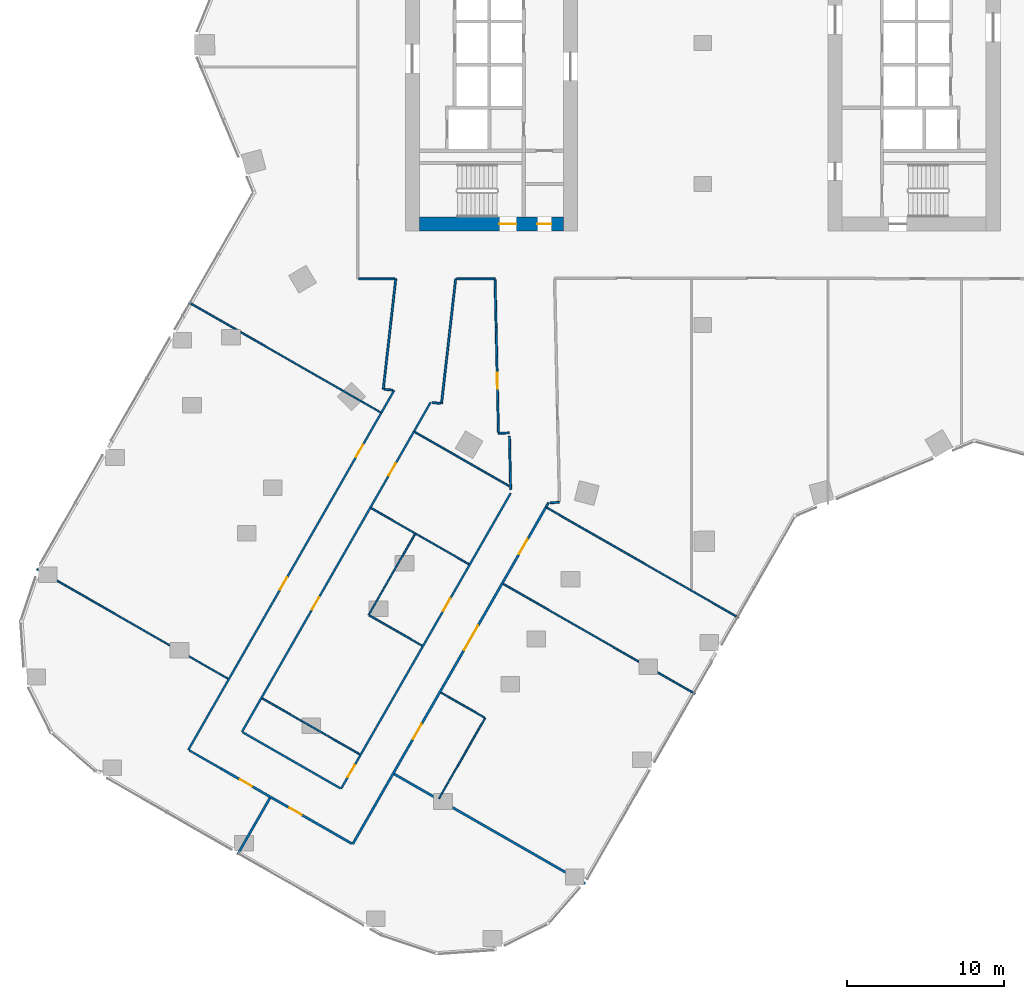
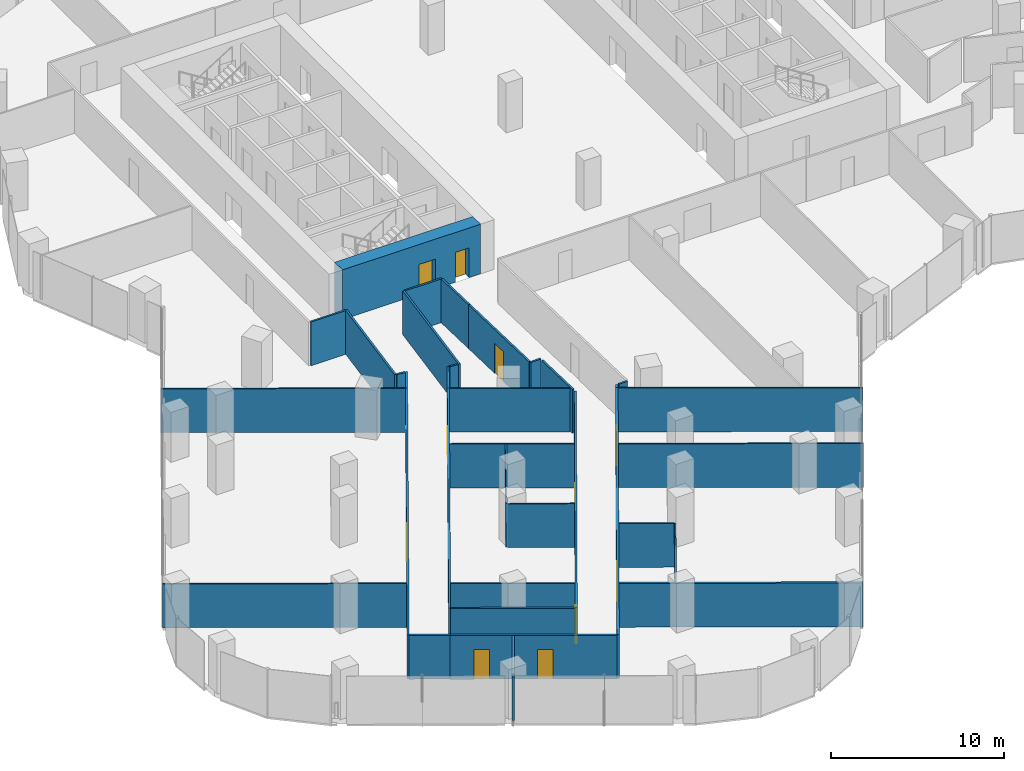
# One storey, part 26 of 34: 35 walls, 14 doors, 14 openings.
"""IFC4 building model written with IfcOpenShell, lengths in metres."""

from ifc_helpers import new_model, si_unit, direction, frame, frame_2d, origin, place, context, subcontext, project, spatial, rectangle, extrude, material, layer, layer_set, type_object, element, fill, save


model = new_model("IFC4")

# Units and contexts
model_context = context("Model", 3, precision=1e-05, world=origin(), true_north=direction((0.0, 1.0)))
body_context = subcontext(model_context, "Body", "Model", "MODEL_VIEW")
ifc_project = project(units=[si_unit("LENGTHUNIT", "METRE"), si_unit("AREAUNIT", "SQUARE_METRE"), si_unit("VOLUMEUNIT", "CUBIC_METRE"), si_unit("PLANEANGLEUNIT", "RADIAN"), si_unit("MASSUNIT", "GRAM", prefix="KILO")], contexts=[model_context])

# Site, building, storey
site_placement = place(None, origin())
site = spatial("IfcSite", under=ifc_project, at=site_placement, CompositionType="ELEMENT")
building_placement = place(site_placement, origin())
building = spatial("IfcBuilding", under=site, at=building_placement, Name="Orlundy Tower", CompositionType="ELEMENT")
storey_placement = place(building_placement, frame((0.0, 0.0, 112.699951171875)))
storey = spatial("IfcBuildingStorey", under=building, at=storey_placement, Name="L28", CompositionType="ELEMENT", Elevation=112.699951171875)

# Wall, openings, doors
ifc_material_1 = material(Name="Concrete C80/95", Category="concrete")
ifc_layer_1 = layer(ifc_material_1, 0.89990234375)
ifc_layer_set_1 = layer_set([ifc_layer_1], Name="CORE WALL 900 C80/95")
wall_type_1 = type_object("IfcWallType", Name="CORE WALL 900 C80/95", PredefinedType="SHEAR", material=ifc_layer_set_1)
wall_1_placement = place(storey_placement, frame((-18.10009765625, -11.550048828125, 0.0), z_axis=(0.0, 0.0, 1.0), x_axis=(1.0, 0.0, 0.0)))
wall_1 = element("IfcWall", 1, at=wall_1_placement, inside=storey, type_object=wall_type_1, Name="Core wall W-S L28", PredefinedType="SHEAR", context=body_context, shape_type="SweptSolid", body=[
    extrude(rectangle(XDim=9.2001953125, YDim=0.89990234375, at=frame_2d((4.60009765625, 0.0))), origin(), (0.0, 0.0, 1.0), 3.5),
])
opening_1_placement = place(wall_1_placement, frame((5.10009765625, 0.0, 0.0)))
opening_1 = element("IfcOpeningElement", 2, at=opening_1_placement, cuts=wall_1, Name="Opening 21013", PredefinedType="OPENING", context=body_context, shape_type="SweptSolid", body=[
    extrude(rectangle(XDim=1.10009765625, YDim=2.10009765625, at=frame_2d((0.550048828125, 1.050048828125))), frame((0.0, 0.4599609375, 0.0), z_axis=(0.0, -1.0, 0.0), x_axis=(1.0, 0.0, 0.0)), (0.0, 0.0, 1.0), 0.919921875),
])
opening_2_placement = place(wall_1_placement, frame((7.530029296875, 0.0, 0.0)))
opening_2 = element("IfcOpeningElement", 3, at=opening_2_placement, cuts=wall_1, Name="Opening 21015", PredefinedType="OPENING", context=body_context, shape_type="SweptSolid", body=[
    extrude(rectangle(XDim=0.89990234375, YDim=2.10009765625, at=frame_2d((0.449951171875, 1.050048828125))), frame((0.0, 0.4599609375, 0.0), z_axis=(0.0, -1.0, 0.0), x_axis=(1.0, 0.0, 0.0)), (0.0, 0.0, 1.0), 0.919921875),
])
ifc_material_2 = material(Name="Timber door set", Category="wood")
door_type_1 = type_object("IfcDoorType", Name="Room Door 900x2100", OperationType="SINGLE_SWING_LEFT", PredefinedType="DOOR", material=ifc_material_2)
door_1_placement = place(opening_2_placement, origin())
door_1 = element("IfcDoor", 4, at=door_1_placement, inside=storey, type_object=door_type_1, Name="Store door 21015", OperationType="SINGLE_SWING_RIGHT", OverallHeight=2.10009765625, OverallWidth=0.89990234375, PredefinedType="DOOR", context=body_context, shape_type="SweptSolid", body=[
    extrude(rectangle(XDim=0.89990234375, YDim=2.10009765625, at=frame_2d((0.449951171875, 1.050048828125))), frame((0.0, 0.02490234375, 0.0), z_axis=(0.0, -1.0, 0.0), x_axis=(1.0, 0.0, 0.0)), (0.0, 0.0, 1.0), 0.050048828125),
])
fill(opening_2, door_1)
ifc_material_3 = material(Name="Steel door set", Category="steel")
door_type_2 = type_object("IfcDoorType", Name="Stair Door 1100x2100", OperationType="SINGLE_SWING_LEFT", PredefinedType="DOOR", material=ifc_material_3)
door_2_placement = place(opening_1_placement, origin())
door_2 = element("IfcDoor", 5, at=door_2_placement, inside=storey, type_object=door_type_2, Name="Stair door 21013", OperationType="SINGLE_SWING_RIGHT", OverallHeight=2.10009765625, OverallWidth=1.10009765625, PredefinedType="DOOR", context=body_context, shape_type="SweptSolid", body=[
    extrude(rectangle(XDim=1.10009765625, YDim=2.10009765625, at=frame_2d((0.550048828125, 1.050048828125))), frame((0.0, 0.02490234375, 0.0), z_axis=(0.0, -1.0, 0.0), x_axis=(1.0, 0.0, 0.0)), (0.0, 0.0, 1.0), 0.050048828125),
])
fill(opening_1, door_2)

# Walls
ifc_material_4 = material(Name="Gypsum board partition")
ifc_layer_2 = layer(ifc_material_4, 0.10009765625)
ifc_layer_set_2 = layer_set([ifc_layer_2], Name="Floor partition 100")
wall_type_2 = type_object("IfcWallType", Name="Floor partition 100", PredefinedType="PARTITIONING", material=ifc_layer_set_2)
wall_2_placement = place(storey_placement, frame((-42.5419921875, -33.5869140625, 0.0), z_axis=(0.0, 0.0, 1.0), x_axis=(0.867466270896, -0.497495998835, 0.0)))
element("IfcWall", 6, at=wall_2_placement, inside=storey, type_object=wall_type_2, Name="wall-int-L28-009", PredefinedType="PARTITIONING", context=body_context, shape_type="SweptSolid", body=[
    extrude(rectangle(XDim=14.078857421875, YDim=0.10009765625, at=frame_2d((7.03955078125, 0.0))), origin(), (0.0, 0.0, 1.0), 3.080078125),
])
wall_3_placement = place(storey_placement, frame((-28.137939453125, -41.847900390625, 0.0), z_axis=(0.0, 0.0, 1.0), x_axis=(0.867478179125, -0.4974752343, 0.0)))
element("IfcWall", 7, at=wall_3_placement, inside=storey, type_object=wall_type_2, Name="wall-int-L28-010", PredefinedType="PARTITIONING", context=body_context, shape_type="SweptSolid", body=[
    extrude(rectangle(XDim=7.17822265625, YDim=0.10009765625, at=frame_2d((3.589111328125, 0.0))), origin(), (0.0, 0.0, 1.0), 3.080078125),
])
wall_4_placement = place(storey_placement, frame((-16.72412109375, -41.47607421875, 0.0), z_axis=(0.0, 0.0, 1.0), x_axis=(0.867553640943, -0.497343623752, 0.0)))
element("IfcWall", 8, at=wall_4_placement, inside=storey, type_object=wall_type_2, Name="wall-int-L28-012", PredefinedType="PARTITIONING", context=body_context, shape_type="SweptSolid", body=[
    extrude(rectangle(XDim=3.20703125, YDim=0.10009765625, at=frame_2d((1.603515625, 0.0))), origin(), (0.0, 0.0, 1.0), 3.080078125),
])
wall_5_placement = place(storey_placement, frame((-21.302001953125, -36.5458984375, 0.0), z_axis=(0.0, 0.0, 1.0), x_axis=(0.867492112241, -0.49745093748, 0.0)))
element("IfcWall", 9, at=wall_5_placement, inside=storey, type_object=wall_type_2, Name="wall-int-L28-013", PredefinedType="PARTITIONING", context=body_context, shape_type="SweptSolid", body=[
    extrude(rectangle(XDim=3.885986328125, YDim=0.10009765625, at=frame_2d((1.94287109375, 0.0))), origin(), (0.0, 0.0, 1.0), 3.080078125),
])
wall_6_placement = place(storey_placement, frame((-21.180908203125, -29.698974609375, 0.0), z_axis=(0.0, 0.0, 1.0), x_axis=(0.867554846835, -0.497341520219, 0.0)))
element("IfcWall", 10, at=wall_6_placement, inside=storey, type_object=wall_type_2, Name="wall-int-L28-014", PredefinedType="PARTITIONING", context=body_context, shape_type="SweptSolid", body=[
    extrude(rectangle(XDim=7.190185546875, YDim=0.10009765625, at=frame_2d((3.59521484375, 0.0))), origin(), (0.0, 0.0, 1.0), 3.080078125),
])
wall_7_placement = place(storey_placement, frame((-12.7451171875, -34.535888671875, 0.0), z_axis=(0.0, 0.0, 1.0), x_axis=(0.867470957273, -0.497487827277, 0.0)))
element("IfcWall", 11, at=wall_7_placement, inside=storey, type_object=wall_type_2, Name="wall-int-L28-015", PredefinedType="PARTITIONING", context=body_context, shape_type="SweptSolid", body=[
    extrude(rectangle(XDim=14.125244140625, YDim=0.10009765625, at=frame_2d((7.0625, 0.0))), origin(), (0.0, 0.0, 1.0), 3.080078125),
])
wall_8_placement = place(storey_placement, frame((-32.8359375, -16.552001953125, 0.0), z_axis=(0.0, 0.0, 1.0), x_axis=(0.867495211783, -0.497445532229, 0.0)))
element("IfcWall", 12, at=wall_8_placement, inside=storey, type_object=wall_type_2, Name="wall-int-L28-016", PredefinedType="PARTITIONING", context=body_context, shape_type="SweptSolid", body=[
    extrude(rectangle(XDim=14.119873046875, YDim=0.10009765625, at=frame_2d((7.06005859375, 0.0))), origin(), (0.0, 0.0, 1.0), 3.080078125),
])
wall_9_placement = place(storey_placement, frame((-18.39501953125, -24.8330078125, 0.0), z_axis=(0.0, 0.0, 1.0), x_axis=(0.86747241126, -0.497485291946, 0.0)))
element("IfcWall", 13, at=wall_9_placement, inside=storey, type_object=wall_type_2, Name="wall-int-L28-017", PredefinedType="PARTITIONING", context=body_context, shape_type="SweptSolid", body=[
    extrude(rectangle(XDim=6.948974609375, YDim=0.10009765625, at=frame_2d((3.474609375, 0.0))), origin(), (0.0, 0.0, 1.0), 3.080078125),
])
wall_10_placement = place(storey_placement, frame((-9.9560546875, -29.672119140625, 0.0), z_axis=(0.0, 0.0, 1.0), x_axis=(0.867495524847, -0.497444986276, 0.0)))
element("IfcWall", 14, at=wall_10_placement, inside=storey, type_object=wall_type_2, Name="wall-int-L28-018", PredefinedType="PARTITIONING", context=body_context, shape_type="SweptSolid", body=[
    extrude(rectangle(XDim=14.1259765625, YDim=0.10009765625, at=frame_2d((7.06298828125, 0.0))), origin(), (0.0, 0.0, 1.0), 3.080078125),
])
wall_11_placement = place(storey_placement, frame((-16.846923828125, -48.236083984375, 0.0), z_axis=(0.0, 0.0, 1.0), x_axis=(0.497509382409, 0.867458595217, 0.0)))
element("IfcWall", 15, at=wall_11_placement, inside=storey, type_object=wall_type_2, Name="wall-int-L28-048", PredefinedType="PARTITIONING", context=body_context, shape_type="SweptSolid", body=[
    extrude(rectangle(XDim=5.925537109375, YDim=0.10009765625, at=frame_2d((2.962890625, 0.0))), origin(), (0.0, 0.0, 1.0), 3.080078125),
])
wall_12_placement = place(storey_placement, frame((-21.344970703125, -36.52099609375, 0.0), z_axis=(0.0, 0.0, 1.0), x_axis=(0.497305055322, 0.867575749978, 0.0)))
element("IfcWall", 16, at=wall_12_placement, inside=storey, type_object=wall_type_2, Name="wall-int-L28-052", PredefinedType="PARTITIONING", context=body_context, shape_type="SweptSolid", body=[
    extrude(rectangle(XDim=5.949951171875, YDim=0.10009765625, at=frame_2d((2.97509765625, 0.0))), origin(), (0.0, 0.0, 1.0), 3.080078125),
])
ifc_material_5 = material(Name="Gypsum board partition, double layer")
ifc_layer_3 = layer(ifc_material_5, 0.125)
ifc_layer_set_3 = layer_set([ifc_layer_3], Name="Floor partition 125")
wall_type_3 = type_object("IfcWallType", Name="Floor partition 125", PredefinedType="PARTITIONING", material=ifc_layer_set_3)
wall_13_placement = place(storey_placement, frame((-13.26806640625, -15.113037109375, 0.0), z_axis=(0.0, 0.0, 1.0), x_axis=(0.02185314429, -0.999761191528, 0.0)))
element("IfcWall", 17, at=wall_13_placement, inside=storey, type_object=wall_type_3, Name="wall-int-L28-001", PredefinedType="PARTITIONING", context=body_context, shape_type="SweptSolid", body=[
    extrude(rectangle(XDim=3.027587890625, YDim=0.125, at=frame_2d((1.513671875, 0.0))), origin(), (0.0, 0.0, 1.0), 3.080078125),
])

# Wall, opening, door
wall_14_placement = place(storey_placement, frame((-13.053955078125, -24.846923828125, 0.0), z_axis=(0.0, 0.0, 1.0), x_axis=(-0.022053458667, 0.999756792906, 0.0)))
wall_14 = element("IfcWall", 18, at=wall_14_placement, inside=storey, type_object=wall_type_3, Name="wall-int-L28-002", PredefinedType="PARTITIONING", context=body_context, shape_type="SweptSolid", body=[
    extrude(rectangle(XDim=6.708740234375, YDim=0.125, at=frame_2d((3.3544921875, 0.0))), origin(), (0.0, 0.0, 1.0), 3.080078125),
])
opening_3_placement = place(wall_14_placement, frame((2.78759765625, 0.0, 0.0)))
opening_3 = element("IfcOpeningElement", 19, at=opening_3_placement, cuts=wall_14, Name="Opening 21120", PredefinedType="OPENING", context=body_context, shape_type="SweptSolid", body=[
    extrude(rectangle(XDim=1.0, YDim=2.10009765625, at=frame_2d((0.5, 1.050048828125))), frame((0.0, 0.072509765625, 0.0), z_axis=(0.0, -1.0, 0.0), x_axis=(1.0, 0.0, 0.0)), (0.0, 0.0, 1.0), 0.14501953125),
])
ifc_material_6 = material(Name="Timber door leaf", Category="wood")
door_type_3 = type_object("IfcDoorType", Name="Floor door wide 1000 FD30S", OperationType="NOTDEFINED", PredefinedType="DOOR", material=ifc_material_6)
door_3_placement = place(opening_3_placement, origin())
door_3 = element("IfcDoor", 20, at=door_3_placement, inside=storey, type_object=door_type_3, Name="Door 21120", OperationType="SINGLE_SWING_LEFT", OverallHeight=2.10009765625, OverallWidth=1.0, PredefinedType="DOOR", context=body_context, shape_type="SweptSolid", body=[
    extrude(rectangle(XDim=1.0, YDim=2.10009765625, at=frame_2d((0.5, 1.050048828125))), frame((0.0, 0.02490234375, 0.0), z_axis=(0.0, -1.0, 0.0), x_axis=(1.0, 0.0, 0.0)), (0.0, 0.0, 1.0), 0.050048828125),
])
fill(opening_3, door_3)

# Walls
wall_15_placement = place(storey_placement, frame((-12.27392578125, -28.507080078125, 0.0), z_axis=(0.0, 0.0, 1.0), x_axis=(-0.022051353947, 0.999756839331, 0.0)))
element("IfcWall", 21, at=wall_15_placement, inside=storey, type_object=wall_type_3, Name="wall-int-L28-003", PredefinedType="PARTITIONING", context=body_context, shape_type="SweptSolid", body=[
    extrude(rectangle(XDim=3.409912109375, YDim=0.125, at=frame_2d((1.705078125, 0.0))), origin(), (0.0, 0.0, 1.0), 3.080078125),
])
wall_16_placement = place(storey_placement, frame((-32.804931640625, -45.1669921875, 0.0), z_axis=(0.0, 0.0, 1.0), x_axis=(0.867850650995, -0.496825168009, 0.0)))
element("IfcWall", 22, at=wall_16_placement, inside=storey, type_object=wall_type_3, Name="wall-int-L28-006", PredefinedType="PARTITIONING", context=body_context, shape_type="SweptSolid", body=[
    extrude(rectangle(XDim=2.336669921875, YDim=0.125, at=frame_2d((1.16845703125, 0.0))), origin(), (0.0, 0.0, 1.0), 3.080078125),
])
wall_17_placement = place(storey_placement, frame((-29.3798828125, -44.01708984375, 0.0), z_axis=(0.0, 0.0, 1.0), x_axis=(0.867475811481, -0.497479362885, 0.0)))
element("IfcWall", 23, at=wall_17_placement, inside=storey, type_object=wall_type_3, Name="wall-int-L28-008", PredefinedType="PARTITIONING", context=body_context, shape_type="SweptSolid", body=[
    extrude(rectangle(XDim=7.17578125, YDim=0.125, at=frame_2d((3.587890625, 0.0))), origin(), (0.0, 0.0, 1.0), 3.080078125),
])
for number, where, z_axis, x_axis, name in (
    (24, (-17.287109375, -22.948974609375, 0.0), (0.0, 0.0, 1.0), (0.993828621155, -0.110926425047, 0.0), "wall-int-L28-026"),
    (25, (-20.344970703125, -22.10400390625, 0.0), (0.0, 0.0, 1.0), (0.993828621155, -0.110926425047, 0.0), "wall-int-L28-027"),
):
    element("IfcWall", number, at=place(storey_placement, frame(where, z_axis=z_axis, x_axis=x_axis)), inside=storey, type_object=wall_type_3, Name=name, PredefinedType="PARTITIONING", context=body_context, shape_type="SweptSolid", body=[
        extrude(rectangle(XDim=0.54150390625, YDim=0.125, at=frame_2d((0.270751953125, 0.0))), origin(), (0.0, 0.0, 1.0), 3.080078125),
    ])
wall_18_placement = place(storey_placement, frame((-21.988037109375, -15.051025390625, 0.0), z_axis=(0.0, 0.0, 1.0), x_axis=(1.0, 0.0, 0.0)))
element("IfcWall", 26, at=wall_18_placement, inside=storey, type_object=wall_type_3, Name="wall-int-L28-031", PredefinedType="PARTITIONING", context=body_context, shape_type="SweptSolid", body=[
    extrude(rectangle(XDim=2.31591796875, YDim=0.125, at=frame_2d((1.157958984375, 0.0))), origin(), (0.0, 0.0, 1.0), 3.080078125),
])
wall_19_placement = place(storey_placement, frame((-15.722900390625, -15.051025390625, 0.0), z_axis=(0.0, 0.0, 1.0), x_axis=(1.0, 0.0, 0.0)))
element("IfcWall", 27, at=wall_19_placement, inside=storey, type_object=wall_type_3, Name="wall-int-L28-032", PredefinedType="PARTITIONING", context=body_context, shape_type="SweptSolid", body=[
    extrude(rectangle(XDim=2.453857421875, YDim=0.125, at=frame_2d((1.22705078125, 0.0))), origin(), (0.0, 0.0, 1.0), 3.080078125),
])
wall_20_placement = place(storey_placement, frame((-9.743896484375, -29.343994140625, 0.0), z_axis=(0.0, 0.0, 1.0), x_axis=(0.999758670784, 0.021968163164, 0.0)))
element("IfcWall", 28, at=wall_20_placement, inside=storey, type_object=wall_type_3, Name="wall-int-L28-041", PredefinedType="PARTITIONING", context=body_context, shape_type="SweptSolid", body=[
    extrude(rectangle(XDim=0.589111328125, YDim=0.125, at=frame_2d((0.29443359375, 0.0))), origin(), (0.0, 0.0, 1.0), 3.080078125),
])
wall_21_placement = place(storey_placement, frame((-13.052978515625, -24.909912109375, 0.0), z_axis=(0.0, 0.0, 1.0), x_axis=(0.999743094177, 0.022665957838, 0.0)))
element("IfcWall", 29, at=wall_21_placement, inside=storey, type_object=wall_type_3, Name="wall-int-L28-042", PredefinedType="PARTITIONING", context=body_context, shape_type="SweptSolid", body=[
    extrude(rectangle(XDim=0.7001953125, YDim=0.125, at=frame_2d((0.35009765625, 0.0))), origin(), (0.0, 0.0, 1.0), 3.080078125),
])
wall_22_placement = place(storey_placement, frame((-19.7119140625, -22.175048828125, 0.0), z_axis=(0.0, 0.0, 1.0), x_axis=(-0.497428639805, -0.867504898143, 0.0)))
element("IfcWall", 30, at=wall_22_placement, inside=storey, type_object=wall_type_3, Name="wall-int-L28-045", PredefinedType="PARTITIONING", context=body_context, shape_type="SweptSolid", body=[
    extrude(rectangle(XDim=1.650634765625, YDim=0.125, at=frame_2d((0.8251953125, 0.0))), origin(), (0.0, 0.0, 1.0), 3.080078125),
])
wall_23_placement = place(storey_placement, frame((-10.02099609375, -29.635009765625, 0.0), z_axis=(0.0, 0.0, 1.0), x_axis=(0.498030726652, 0.867159382876, 0.0)))
element("IfcWall", 31, at=wall_23_placement, inside=storey, type_object=wall_type_3, Name="wall-int-L28-047", PredefinedType="PARTITIONING", context=body_context, shape_type="SweptSolid", body=[
    extrude(rectangle(XDim=0.333251953125, YDim=0.125, at=frame_2d((0.16650390625, 0.0))), origin(), (0.0, 0.0, 1.0), 3.080078125),
])

# Wall, openings, doors
wall_24_placement = place(storey_placement, frame((-23.10107421875, -47.617919921875, 0.0), z_axis=(0.0, 0.0, 1.0), x_axis=(0.497706797126, 0.867345343041, 0.0)))
wall_24 = element("IfcWall", 32, at=wall_24_placement, inside=storey, type_object=wall_type_3, Name="wall-int-L28-050", PredefinedType="PARTITIONING", context=body_context, shape_type="SweptSolid", body=[
    extrude(rectangle(XDim=21.772216796875, YDim=0.125, at=frame_2d((10.88623046875, 0.0))), origin(), (0.0, 0.0, 1.0), 3.080078125),
])
opening_4_placement = place(wall_24_placement, frame((0.85009765625, 0.0, 0.0)))
opening_4 = element("IfcOpeningElement", 33, at=opening_4_placement, cuts=wall_24, Name="Opening 21114", PredefinedType="OPENING", context=body_context, shape_type="SweptSolid", body=[
    extrude(rectangle(XDim=0.89990234375, YDim=2.10009765625, at=frame_2d((0.449951171875, 1.050048828125))), frame((0.0, 0.072509765625, 0.0), z_axis=(0.0, -1.0, 0.0), x_axis=(1.0, 0.0, 0.0)), (0.0, 0.0, 1.0), 0.14501953125),
])
opening_5_placement = place(wall_24_placement, frame((13.10009765625, 0.0, 0.0)))
opening_5 = element("IfcOpeningElement", 34, at=opening_5_placement, cuts=wall_24, Name="Opening 21134", PredefinedType="OPENING", context=body_context, shape_type="SweptSolid", body=[
    extrude(rectangle(XDim=0.89990234375, YDim=2.10009765625, at=frame_2d((0.449951171875, 1.050048828125))), frame((0.0, 0.072509765625, 0.0), z_axis=(0.0, -1.0, 0.0), x_axis=(1.0, 0.0, 0.0)), (0.0, 0.0, 1.0), 0.14501953125),
])
ifc_material_7 = material(Name="Timber door leaf", Category="wood")
door_type_4 = type_object("IfcDoorType", Name="Floor door single 900 FD30S", OperationType="NOTDEFINED", PredefinedType="DOOR", material=ifc_material_7)
door_4_placement = place(opening_4_placement, origin())
door_4 = element("IfcDoor", 35, at=door_4_placement, inside=storey, type_object=door_type_4, Name="Door 21114", OperationType="SINGLE_SWING_LEFT", OverallHeight=2.10009765625, OverallWidth=0.89990234375, PredefinedType="DOOR", context=body_context, shape_type="SweptSolid", body=[
    extrude(rectangle(XDim=0.89990234375, YDim=2.10009765625, at=frame_2d((0.449951171875, 1.050048828125))), frame((0.0, 0.02490234375, 0.0), z_axis=(0.0, -1.0, 0.0), x_axis=(1.0, 0.0, 0.0)), (0.0, 0.0, 1.0), 0.050048828125),
])
fill(opening_4, door_4)
door_5_placement = place(opening_5_placement, origin())
door_5 = element("IfcDoor", 36, at=door_5_placement, inside=storey, type_object=door_type_4, Name="Door 21134", OperationType="SINGLE_SWING_RIGHT", OverallHeight=2.10009765625, OverallWidth=0.89990234375, PredefinedType="DOOR", context=body_context, shape_type="SweptSolid", body=[
    extrude(rectangle(XDim=0.89990234375, YDim=2.10009765625, at=frame_2d((0.449951171875, 1.050048828125))), frame((0.0, 0.02490234375, 0.0), z_axis=(0.0, -1.0, 0.0), x_axis=(1.0, 0.0, 0.0)), (0.0, 0.0, 1.0), 0.050048828125),
])
fill(opening_5, door_5)

wall_25_placement = place(storey_placement, frame((-18.448974609375, -24.802001953125, 0.0), z_axis=(0.0, 0.0, 1.0), x_axis=(-0.496915373234, -0.867799004288, 0.0)))
wall_25 = element("IfcWall", 37, at=wall_25_placement, inside=storey, type_object=wall_type_3, Name="wall-int-L28-053", PredefinedType="PARTITIONING", context=body_context, shape_type="SweptSolid", body=[
    extrude(rectangle(XDim=22.106689453125, YDim=0.125, at=frame_2d((11.05322265625, 0.0))), origin(), (0.0, 0.0, 1.0), 3.080078125),
])
opening_6_placement = place(wall_25_placement, frame((2.35009765625, 0.0, 0.0)))
opening_6 = element("IfcOpeningElement", 38, at=opening_6_placement, cuts=wall_25, Name="Opening 21112", PredefinedType="OPENING", context=body_context, shape_type="SweptSolid", body=[
    extrude(rectangle(XDim=0.89990234375, YDim=2.10009765625, at=frame_2d((0.449951171875, 1.050048828125))), frame((0.0, 0.072509765625, 0.0), z_axis=(0.0, -1.0, 0.0), x_axis=(1.0, 0.0, 0.0)), (0.0, 0.0, 1.0), 0.14501953125),
])
opening_7_placement = place(wall_25_placement, frame((12.207275390625, 0.0, 0.0)))
opening_7 = element("IfcOpeningElement", 39, at=opening_7_placement, cuts=wall_25, Name="Opening 21113", PredefinedType="OPENING", context=body_context, shape_type="SweptSolid", body=[
    extrude(rectangle(XDim=0.89990234375, YDim=2.10009765625, at=frame_2d((0.449951171875, 1.050048828125))), frame((0.0, 0.072509765625, 0.0), z_axis=(0.0, -1.0, 0.0), x_axis=(1.0, 0.0, 0.0)), (0.0, 0.0, 1.0), 0.14501953125),
])
door_6_placement = place(opening_6_placement, origin())
door_6 = element("IfcDoor", 40, at=door_6_placement, inside=storey, type_object=door_type_4, Name="Door 21112", OperationType="SINGLE_SWING_LEFT", OverallHeight=2.10009765625, OverallWidth=0.89990234375, PredefinedType="DOOR", context=body_context, shape_type="SweptSolid", body=[
    extrude(rectangle(XDim=0.89990234375, YDim=2.10009765625, at=frame_2d((0.449951171875, 1.050048828125))), frame((0.0, 0.02490234375, 0.0), z_axis=(0.0, -1.0, 0.0), x_axis=(1.0, 0.0, 0.0)), (0.0, 0.0, 1.0), 0.050048828125),
])
fill(opening_6, door_6)
door_7_placement = place(opening_7_placement, origin())
door_7 = element("IfcDoor", 41, at=door_7_placement, inside=storey, type_object=door_type_4, Name="Door 21113", OperationType="SINGLE_SWING_RIGHT", OverallHeight=2.10009765625, OverallWidth=0.89990234375, PredefinedType="DOOR", context=body_context, shape_type="SweptSolid", body=[
    extrude(rectangle(XDim=0.89990234375, YDim=2.10009765625, at=frame_2d((0.449951171875, 1.050048828125))), frame((0.0, 0.02490234375, 0.0), z_axis=(0.0, -1.0, 0.0), x_axis=(1.0, 0.0, 0.0)), (0.0, 0.0, 1.0), 0.050048828125),
])
fill(opening_7, door_7)

# Wall
wall_26_placement = place(storey_placement, frame((-18.448974609375, -24.802001953125, 0.0), z_axis=(0.0, 0.0, 1.0), x_axis=(0.49675090032, 0.867893163374, 0.0)))
element("IfcWall", 42, at=wall_26_placement, inside=storey, type_object=wall_type_3, Name="wall-int-L28-054", PredefinedType="PARTITIONING", context=body_context, shape_type="SweptSolid", body=[
    extrude(rectangle(XDim=2.147705078125, YDim=0.125, at=frame_2d((1.07373046875, 0.0))), origin(), (0.0, 0.0, 1.0), 3.080078125),
])

# Wall, openings, doors
wall_27_placement = place(storey_placement, frame((-32.85888671875, -45.135986328125, 0.0), z_axis=(0.0, 0.0, 1.0), x_axis=(0.496796975504, 0.867866789969, 0.0)))
wall_27 = element("IfcWall", 43, at=wall_27_placement, inside=storey, type_object=wall_type_3, Name="wall-int-L28-055", PredefinedType="PARTITIONING", context=body_context, shape_type="SweptSolid", body=[
    extrude(rectangle(XDim=24.806884765625, YDim=0.125, at=frame_2d((12.4033203125, 0.0))), origin(), (0.0, 0.0, 1.0), 3.080078125),
])
opening_8_placement = place(wall_27_placement, frame((11.80126953125, 0.0, 0.0)))
opening_8 = element("IfcOpeningElement", 44, at=opening_8_placement, cuts=wall_27, Name="Opening 21117", PredefinedType="OPENING", context=body_context, shape_type="SweptSolid", body=[
    extrude(rectangle(XDim=0.89990234375, YDim=2.10009765625, at=frame_2d((0.449951171875, 1.050048828125))), frame((0.0, 0.072509765625, 0.0), z_axis=(0.0, -1.0, 0.0), x_axis=(1.0, 0.0, 0.0)), (0.0, 0.0, 1.0), 0.14501953125),
])
opening_9_placement = place(wall_27_placement, frame((21.55078125, 0.0, 0.0)))
opening_9 = element("IfcOpeningElement", 45, at=opening_9_placement, cuts=wall_27, Name="Opening 21118", PredefinedType="OPENING", context=body_context, shape_type="SweptSolid", body=[
    extrude(rectangle(XDim=0.89990234375, YDim=2.10009765625, at=frame_2d((0.449951171875, 1.050048828125))), frame((0.0, 0.072509765625, 0.0), z_axis=(0.0, -1.0, 0.0), x_axis=(1.0, 0.0, 0.0)), (0.0, 0.0, 1.0), 0.14501953125),
])
door_8_placement = place(opening_8_placement, origin())
door_8 = element("IfcDoor", 46, at=door_8_placement, inside=storey, type_object=door_type_4, Name="Door 21117", OperationType="SINGLE_SWING_LEFT", OverallHeight=2.10009765625, OverallWidth=0.89990234375, PredefinedType="DOOR", context=body_context, shape_type="SweptSolid", body=[
    extrude(rectangle(XDim=0.89990234375, YDim=2.10009765625, at=frame_2d((0.449951171875, 1.050048828125))), frame((0.0, 0.02490234375, 0.0), z_axis=(0.0, -1.0, 0.0), x_axis=(1.0, 0.0, 0.0)), (0.0, 0.0, 1.0), 0.050048828125),
])
fill(opening_8, door_8)
door_9_placement = place(opening_9_placement, origin())
door_9 = element("IfcDoor", 47, at=door_9_placement, inside=storey, type_object=door_type_4, Name="Door 21118", OperationType="SINGLE_SWING_RIGHT", OverallHeight=2.10009765625, OverallWidth=0.89990234375, PredefinedType="DOOR", context=body_context, shape_type="SweptSolid", body=[
    extrude(rectangle(XDim=0.89990234375, YDim=2.10009765625, at=frame_2d((0.449951171875, 1.050048828125))), frame((0.0, 0.02490234375, 0.0), z_axis=(0.0, -1.0, 0.0), x_axis=(1.0, 0.0, 0.0)), (0.0, 0.0, 1.0), 0.050048828125),
])
fill(opening_9, door_9)

# Walls
wall_28_placement = place(storey_placement, frame((-16.68603515625, -23.01611328125, 0.0), z_axis=(0.0, 0.0, 1.0), x_axis=(0.112430566881, 0.993659583374, 0.0)))
element("IfcWall", 48, at=wall_28_placement, inside=storey, type_object=wall_type_3, Name="wall-int-L28-069", PredefinedType="PARTITIONING", context=body_context, shape_type="SweptSolid", body=[
    extrude(rectangle(XDim=8.014892578125, YDim=0.125, at=frame_2d((4.00732421875, 0.0))), origin(), (0.0, 0.0, 1.0), 3.080078125),
])
wall_29_placement = place(storey_placement, frame((-20.407958984375, -22.095947265625, 0.0), z_axis=(0.0, 0.0, 1.0), x_axis=(0.112548040262, 0.993646284466, 0.0)))
element("IfcWall", 49, at=wall_29_placement, inside=storey, type_object=wall_type_3, Name="wall-int-L28-070", PredefinedType="PARTITIONING", context=body_context, shape_type="SweptSolid", body=[
    extrude(rectangle(XDim=7.0888671875, YDim=0.125, at=frame_2d((3.54443359375, 0.0))), origin(), (0.0, 0.0, 1.0), 3.080078125),
])

# Wall, openings, doors
ifc_material_8 = material(Name="Blockwork shaft wall", Category="masonry")
ifc_layer_4 = layer(ifc_material_8, 0.14990234375)
ifc_layer_set_4 = layer_set([ifc_layer_4], Name="Floor shaft wall 150")
wall_type_4 = type_object("IfcWallType", Name="Floor shaft wall 150", PredefinedType="PARTITIONING", material=ifc_layer_set_4)
wall_30_placement = place(storey_placement, frame((-22.424072265625, -51.118896484375, 0.0), z_axis=(0.0, 0.0, 1.0), x_axis=(-0.867497896771, 0.497440849849, 0.0)))
wall_30 = element("IfcWall", 50, at=wall_30_placement, inside=storey, type_object=wall_type_4, Name="wall-int-L28-007", PredefinedType="PARTITIONING", context=body_context, shape_type="SweptSolid", body=[
    extrude(rectangle(XDim=9.62890625, YDim=0.14990234375, at=frame_2d((4.814453125, 0.0))), origin(), (0.0, 0.0, 1.0), 3.080078125),
])
opening_10_placement = place(wall_30_placement, frame((3.67822265625, 0.0, 0.0)))
opening_10 = element("IfcOpeningElement", 51, at=opening_10_placement, cuts=wall_30, Name="Opening 21115", PredefinedType="OPENING", context=body_context, shape_type="SweptSolid", body=[
    extrude(rectangle(XDim=0.89990234375, YDim=2.10009765625, at=frame_2d((0.449951171875, 1.050048828125))), frame((0.0, 0.0849609375, 0.0), z_axis=(0.0, -1.0, 0.0), x_axis=(1.0, 0.0, 0.0)), (0.0, 0.0, 1.0), 0.169921875),
])
opening_11_placement = place(wall_30_placement, frame((7.327880859375, 0.0, 0.0)))
opening_11 = element("IfcOpeningElement", 52, at=opening_11_placement, cuts=wall_30, Name="Opening 21116", PredefinedType="OPENING", context=body_context, shape_type="SweptSolid", body=[
    extrude(rectangle(XDim=0.89990234375, YDim=2.10009765625, at=frame_2d((0.449951171875, 1.050048828125))), frame((0.0, 0.0849609375, 0.0), z_axis=(0.0, -1.0, 0.0), x_axis=(1.0, 0.0, 0.0)), (0.0, 0.0, 1.0), 0.169921875),
])
ifc_material_9 = material(Name="Timber door leaf", Category="wood")
door_type_5 = type_object("IfcDoorType", Name="Floor door single 900 FD60", OperationType="NOTDEFINED", PredefinedType="DOOR", material=ifc_material_9)
door_10_placement = place(opening_10_placement, origin())
door_10 = element("IfcDoor", 53, at=door_10_placement, inside=storey, type_object=door_type_5, Name="Door 21115", OperationType="SINGLE_SWING_LEFT", OverallHeight=2.10009765625, OverallWidth=0.89990234375, PredefinedType="DOOR", context=body_context, shape_type="SweptSolid", body=[
    extrude(rectangle(XDim=0.89990234375, YDim=2.10009765625, at=frame_2d((0.449951171875, 1.050048828125))), frame((0.0, 0.02490234375, 0.0), z_axis=(0.0, -1.0, 0.0), x_axis=(1.0, 0.0, 0.0)), (0.0, 0.0, 1.0), 0.050048828125),
])
fill(opening_10, door_10)
door_11_placement = place(opening_11_placement, origin())
door_11 = element("IfcDoor", 54, at=door_11_placement, inside=storey, type_object=door_type_5, Name="Door 21116", OperationType="SINGLE_SWING_RIGHT", OverallHeight=2.10009765625, OverallWidth=0.89990234375, PredefinedType="DOOR", context=body_context, shape_type="SweptSolid", body=[
    extrude(rectangle(XDim=0.89990234375, YDim=2.10009765625, at=frame_2d((0.449951171875, 1.050048828125))), frame((0.0, 0.02490234375, 0.0), z_axis=(0.0, -1.0, 0.0), x_axis=(1.0, 0.0, 0.0)), (0.0, 0.0, 1.0), 0.050048828125),
])
fill(opening_11, door_11)

# Wall
wall_31_placement = place(storey_placement, frame((-19.708984375, -46.680908203125, 0.0), z_axis=(0.0, 0.0, 1.0), x_axis=(0.867456145265, -0.497513654126, 0.0)))
element("IfcWall", 55, at=wall_31_placement, inside=storey, type_object=wall_type_4, Name="wall-int-L28-011", PredefinedType="PARTITIONING", context=body_context, shape_type="SweptSolid", body=[
    extrude(rectangle(XDim=14.070068359375, YDim=0.14990234375, at=frame_2d((7.03515625, 0.0))), origin(), (0.0, 0.0, 1.0), 3.080078125),
])

# Wall, openings, doors
wall_32_placement = place(storey_placement, frame((-10.02001953125, -29.635986328125, 0.0), z_axis=(0.0, 0.0, 1.0), x_axis=(-0.49748968286, -0.867469893107, 0.0)))
wall_32 = element("IfcWall", 56, at=wall_32_placement, inside=storey, type_object=wall_type_4, Name="wall-int-L28-049", PredefinedType="PARTITIONING", context=body_context, shape_type="SweptSolid", body=[
    extrude(rectangle(XDim=24.806640625, YDim=0.14990234375, at=frame_2d((12.4033203125, 0.0))), origin(), (0.0, 0.0, 1.0), 3.080078125),
])
opening_12_placement = place(wall_32_placement, frame((2.349609375, 0.0, 0.0)))
opening_12 = element("IfcOpeningElement", 57, at=opening_12_placement, cuts=wall_32, Name="Opening 21110", PredefinedType="OPENING", context=body_context, shape_type="SweptSolid", body=[
    extrude(rectangle(XDim=1.10009765625, YDim=2.10009765625, at=frame_2d((0.550048828125, 1.050048828125))), frame((0.0, 0.0849609375, 0.0), z_axis=(0.0, -1.0, 0.0), x_axis=(1.0, 0.0, 0.0)), (0.0, 0.0, 1.0), 0.169921875),
])
opening_13_placement = place(wall_32_placement, frame((8.70654296875, 0.0, 0.0)))
opening_13 = element("IfcOpeningElement", 58, at=opening_13_placement, cuts=wall_32, Name="Opening 21111", PredefinedType="OPENING", context=body_context, shape_type="SweptSolid", body=[
    extrude(rectangle(XDim=1.800048828125, YDim=2.10009765625, at=frame_2d((0.89990234375, 1.050048828125))), frame((0.0, 0.0849609375, 0.0), z_axis=(0.0, -1.0, 0.0), x_axis=(1.0, 0.0, 0.0)), (0.0, 0.0, 1.0), 0.169921875),
])
opening_14_placement = place(wall_32_placement, frame((15.95654296875, 0.0, 0.0)))
opening_14 = element("IfcOpeningElement", 59, at=opening_14_placement, cuts=wall_32, Name="Opening 21135", PredefinedType="OPENING", context=body_context, shape_type="SweptSolid", body=[
    extrude(rectangle(XDim=1.10009765625, YDim=2.10009765625, at=frame_2d((0.550048828125, 1.050048828125))), frame((0.0, 0.0849609375, 0.0), z_axis=(0.0, -1.0, 0.0), x_axis=(1.0, 0.0, 0.0)), (0.0, 0.0, 1.0), 0.169921875),
])
ifc_material_10 = material(Name="Timber door leaf", Category="wood")
door_type_6 = type_object("IfcDoorType", Name="Floor door double 1800 FD60", OperationType="NOTDEFINED", PredefinedType="DOOR", material=ifc_material_10)
door_12_placement = place(opening_13_placement, origin())
door_12 = element("IfcDoor", 60, at=door_12_placement, inside=storey, type_object=door_type_6, Name="Door 21111", OperationType="DOUBLE_DOOR_SINGLE_SWING", OverallHeight=2.10009765625, OverallWidth=1.800048828125, PredefinedType="DOOR", context=body_context, shape_type="SweptSolid", body=[
    extrude(rectangle(XDim=1.800048828125, YDim=2.10009765625, at=frame_2d((0.89990234375, 1.050048828125))), frame((0.0, 0.02490234375, 0.0), z_axis=(0.0, -1.0, 0.0), x_axis=(1.0, 0.0, 0.0)), (0.0, 0.0, 1.0), 0.050048828125),
])
fill(opening_13, door_12)
ifc_material_11 = material(Name="Timber door leaf", Category="wood")
door_type_7 = type_object("IfcDoorType", Name="Floor door xwide 1100 FD60", OperationType="NOTDEFINED", PredefinedType="DOOR", material=ifc_material_11)
door_13_placement = place(opening_12_placement, origin())
door_13 = element("IfcDoor", 61, at=door_13_placement, inside=storey, type_object=door_type_7, Name="Door 21110", OperationType="SINGLE_SWING_LEFT", OverallHeight=2.10009765625, OverallWidth=1.10009765625, PredefinedType="DOOR", context=body_context, shape_type="SweptSolid", body=[
    extrude(rectangle(XDim=1.10009765625, YDim=2.10009765625, at=frame_2d((0.550048828125, 1.050048828125))), frame((0.0, 0.02490234375, 0.0), z_axis=(0.0, -1.0, 0.0), x_axis=(1.0, 0.0, 0.0)), (0.0, 0.0, 1.0), 0.050048828125),
])
fill(opening_12, door_13)
door_14_placement = place(opening_14_placement, origin())
door_14 = element("IfcDoor", 62, at=door_14_placement, inside=storey, type_object=door_type_7, Name="Door 21135", OperationType="SINGLE_SWING_RIGHT", OverallHeight=2.10009765625, OverallWidth=1.10009765625, PredefinedType="DOOR", context=body_context, shape_type="SweptSolid", body=[
    extrude(rectangle(XDim=1.10009765625, YDim=2.10009765625, at=frame_2d((0.550048828125, 1.050048828125))), frame((0.0, 0.02490234375, 0.0), z_axis=(0.0, -1.0, 0.0), x_axis=(1.0, 0.0, 0.0)), (0.0, 0.0, 1.0), 0.050048828125),
])
fill(opening_14, door_14)

# Wall
wall_33_placement = place(storey_placement, frame((-29.72412109375, -51.8310546875, 0.0), z_axis=(0.0, 0.0, 1.0), x_axis=(0.49757424492, 0.867421391708, 0.0)))
element("IfcWall", 63, at=wall_33_placement, inside=storey, type_object=wall_type_4, Name="wall-int-L28-051", PredefinedType="PARTITIONING", context=body_context, shape_type="SweptSolid", body=[
    extrude(rectangle(XDim=4.174560546875, YDim=0.14990234375, at=frame_2d((2.08740234375, 0.0))), origin(), (0.0, 0.0, 1.0), 3.080078125),
])

save(model, "model.ifc")
